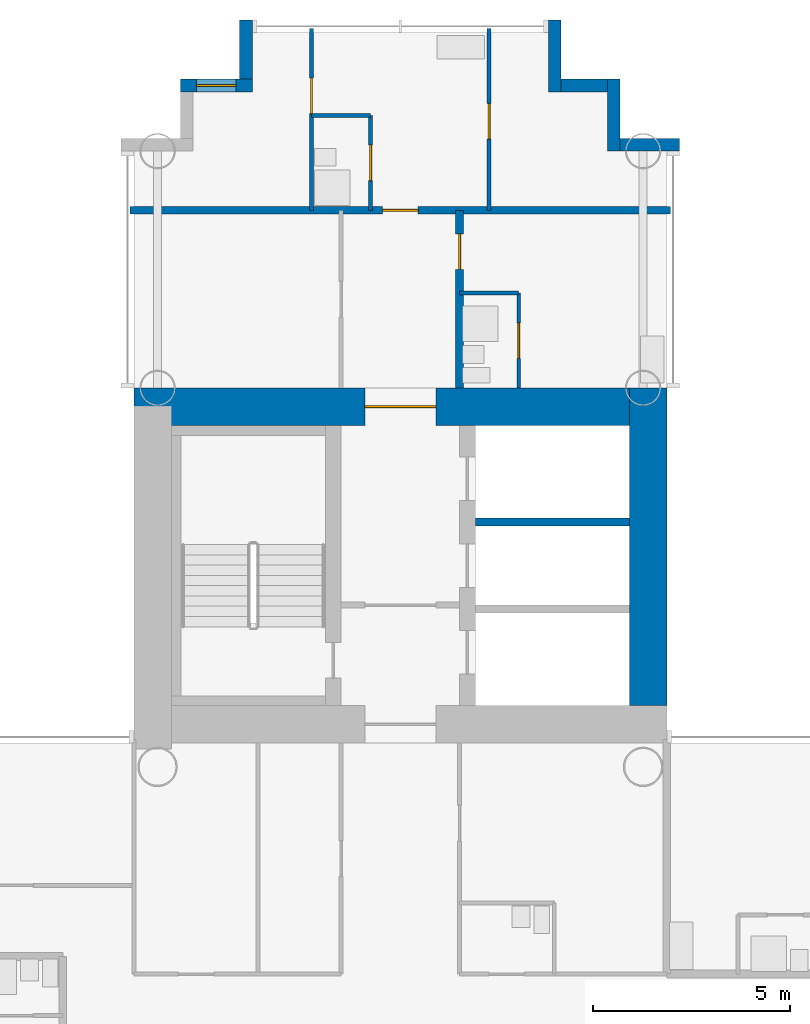
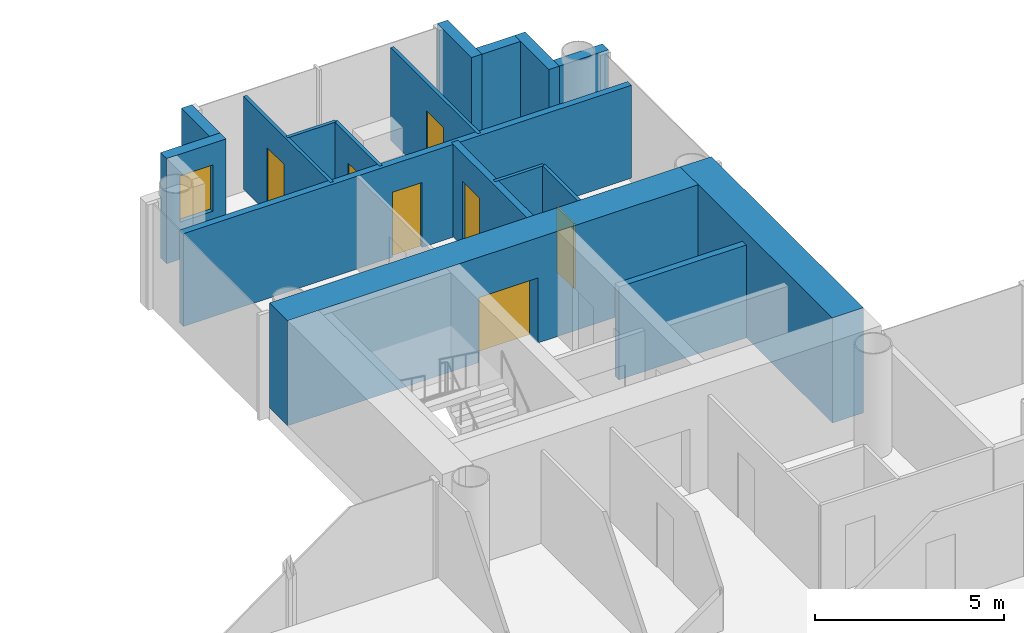
# One storey, part 15 of 22: 17 walls, 7 doors, 1 window, 8 openings.
"""IFC4 building model written with IfcOpenShell, lengths in metres."""

from ifc_helpers import new_model, si_unit, direction, frame, frame_2d, origin, place, context, subcontext, project, spatial, rectangle, extrude, material, layer, layer_set, type_object, element, fill, save


model = new_model("IFC4")

# Units and contexts
model_context = context("Model", 3, precision=1e-05, world=origin(), true_north=direction((0.0, 1.0)))
body_context = subcontext(model_context, "Body", "Model", "MODEL_VIEW")
ifc_project = project(units=[si_unit("LENGTHUNIT", "METRE"), si_unit("AREAUNIT", "SQUARE_METRE"), si_unit("VOLUMEUNIT", "CUBIC_METRE"), si_unit("PLANEANGLEUNIT", "RADIAN"), si_unit("MASSUNIT", "GRAM", prefix="KILO")], contexts=[model_context])

# Site, building, storey
site_placement = place(None, origin())
site = spatial("IfcSite", under=ifc_project, at=site_placement, CompositionType="ELEMENT")
building_placement = place(site_placement, origin())
building = spatial("IfcBuilding", under=site, at=building_placement, Name="Ipe Terrace Towers", CompositionType="ELEMENT")
storey_placement = place(building_placement, frame((0.0, 0.0, 90.199951171875)))
storey = spatial("IfcBuildingStorey", under=building, at=storey_placement, Name="L24", CompositionType="ELEMENT", Elevation=90.199951171875)

# Walls
ifc_material_1 = material(Name="Concrete C40/50 with buff precast cladding", Category="concrete")
ifc_layer_1 = layer(ifc_material_1, 0.320068359375)
ifc_layer_set_1 = layer_set([ifc_layer_1], Name="BUFF CLADDING WALL 320")
wall_type_1 = type_object("IfcWallType", Name="BUFF CLADDING WALL 320", PredefinedType="STANDARD", material=ifc_layer_set_1)
wall_1_placement = place(storey_placement, frame((43.070068359375, 21.909912109375, -0.300048828125), z_axis=(0.0, 0.0, 1.0), x_axis=(-1.0, 0.0, 0.0)))
element("IfcWall", 1, at=wall_1_placement, inside=storey, type_object=wall_type_1, Name="T2-W-L24-17a wall", PredefinedType="STANDARD", context=body_context, shape_type="SweptSolid", body=[
    extrude(rectangle(XDim=1.5, YDim=0.320068359375, at=frame_2d((0.75, 0.0))), origin(), (0.0, 0.0, 1.0), 3.400146484375),
])
wall_2_placement = place(storey_placement, frame((41.409912109375, 21.75, -0.300048828125), z_axis=(0.0, 0.0, 1.0), x_axis=(0.0, 1.0, 0.0)))
element("IfcWall", 2, at=wall_2_placement, inside=storey, type_object=wall_type_1, Name="T2-W-L24-18a wall", PredefinedType="STANDARD", context=body_context, shape_type="SweptSolid", body=[
    extrude(rectangle(XDim=1.820068359375, YDim=0.320068359375, at=frame_2d((0.91015625, 0.0))), origin(), (0.0, 0.0, 1.0), 3.400146484375),
])
wall_3_placement = place(storey_placement, frame((41.25, 23.409912109375, -0.300048828125), z_axis=(0.0, 0.0, 1.0), x_axis=(-1.0, 0.0, 0.0)))
element("IfcWall", 3, at=wall_3_placement, inside=storey, type_object=wall_type_1, Name="T2-W-L24-19a wall", PredefinedType="STANDARD", context=body_context, shape_type="SweptSolid", body=[
    extrude(rectangle(XDim=1.179931640625, YDim=0.320068359375, at=frame_2d((0.58984375, 0.0))), origin(), (0.0, 0.0, 1.0), 3.400146484375),
])
wall_4_placement = place(storey_placement, frame((39.909912109375, 23.25, -0.300048828125), z_axis=(0.0, 0.0, 1.0), x_axis=(0.0, 1.0, 0.0)))
element("IfcWall", 4, at=wall_4_placement, inside=storey, type_object=wall_type_1, Name="T2-W-L24-20a wall", PredefinedType="STANDARD", context=body_context, shape_type="SweptSolid", body=[
    extrude(rectangle(XDim=1.820068359375, YDim=0.320068359375, at=frame_2d((0.91015625, 0.0))), origin(), (0.0, 0.0, 1.0), 3.400146484375),
])
wall_5_placement = place(storey_placement, frame((32.090087890625, 25.070068359375, -0.300048828125), z_axis=(0.0, 0.0, 1.0), x_axis=(0.0, -1.0, 0.0)))
element("IfcWall", 5, at=wall_5_placement, inside=storey, type_object=wall_type_1, Name="T2-W-L24-22a wall", PredefinedType="STANDARD", context=body_context, shape_type="SweptSolid", body=[
    extrude(rectangle(XDim=1.5, YDim=0.320068359375, at=frame_2d((0.75, 0.0))), origin(), (0.0, 0.0, 1.0), 3.400146484375),
])

# Wall, opening, window
wall_6_placement = place(storey_placement, frame((32.25, 23.409912109375, -0.300048828125), z_axis=(0.0, 0.0, 1.0), x_axis=(-1.0, 0.0, 0.0)))
wall_6 = element("IfcWall", 6, at=wall_6_placement, inside=storey, type_object=wall_type_1, Name="T2-W-L24-23a wall", PredefinedType="STANDARD", context=body_context, shape_type="SweptSolid", body=[
    extrude(rectangle(XDim=1.820068359375, YDim=0.320068359375, at=frame_2d((0.91015625, 0.0))), origin(), (0.0, 0.0, 1.0), 3.400146484375),
])
opening_1_placement = place(wall_6_placement, frame((0.409912109375, 0.0, 1.199951171875)))
opening_1 = element("IfcOpeningElement", 7, at=opening_1_placement, cuts=wall_6, Name="Opening T2-W-05-L24-01", PredefinedType="OPENING", context=body_context, shape_type="SweptSolid", body=[
    extrude(rectangle(XDim=1.0, YDim=1.5, at=frame_2d((0.5, 0.75))), frame((0.0, 0.169921875, 0.0), z_axis=(0.0, -1.0, 0.0), x_axis=(1.0, 0.0, 0.0)), (0.0, 0.0, 1.0), 0.340087890625),
])
ifc_material_2 = material(Name="Glass, clear laminated", Category="glass")
window_type = type_object("IfcWindowType", Name="DWELLING WINDOW 1000 x 1500", PartitioningType="SINGLE_PANEL", PredefinedType="WINDOW", material=ifc_material_2)
window_placement = place(opening_1_placement, origin())
window = element("IfcWindow", 8, at=window_placement, inside=storey, type_object=window_type, Name="W-05 window", OverallHeight=1.5, OverallWidth=1.0, PartitioningType="SINGLE_PANEL", PredefinedType="WINDOW", context=body_context, shape_type="SweptSolid", body=[
    extrude(rectangle(XDim=1.0, YDim=1.5, at=frame_2d((0.5, 0.75))), frame((0.0, 0.030029296875, 0.0), z_axis=(0.0, -1.0, 0.0), x_axis=(1.0, 0.0, 0.0)), (0.0, 0.0, 1.0), 0.06005859375),
])
fill(opening_1, window)

# Walls
ifc_material_3 = material(Name="Gypsum board partition", Category="plasterboard")
ifc_layer_2 = layer(ifc_material_3, 0.10009765625)
ifc_layer_set_2 = layer_set([ifc_layer_2], Name="Gypsum board partition 100 mm")
wall_type_2 = type_object("IfcWallType", Name="Gypsum board partition 100 mm", PredefinedType="PARTITIONING", material=ifc_layer_set_2)
for number, where, z_axis, x_axis, name in (
    (9, (39.0, 18.14990234375, 0.0), (0.0, 0.0, 1.0), (-1.0, 0.0, 0.0), "Gypsum board partition T2 L24 W15"),
    (10, (35.25, 22.64990234375, 0.0), (0.0, 0.0, 1.0), (-1.0, 0.0, 0.0), "Gypsum board partition T2 L24 W17"),
):
    element("IfcWall", number, at=place(storey_placement, frame(where, z_axis=z_axis, x_axis=x_axis)), inside=storey, type_object=wall_type_2, Name=name, PredefinedType="PARTITIONING", context=body_context, shape_type="SweptSolid", body=[
        extrude(rectangle(XDim=1.5, YDim=0.10009765625, at=frame_2d((0.75, 0.0))), origin(), (0.0, 0.0, 1.0), 3.0),
    ])

# Wall, opening, door
wall_7_placement = place(storey_placement, frame((39.0, 15.75, 0.0), z_axis=(0.0, 0.0, 1.0), x_axis=(0.0, 1.0, 0.0)))
wall_7 = element("IfcWall", 11, at=wall_7_placement, inside=storey, type_object=wall_type_2, Name="Gypsum board partition T2 L24 W28", PredefinedType="PARTITIONING", context=body_context, shape_type="SweptSolid", body=[
    extrude(rectangle(XDim=2.39990234375, YDim=0.10009765625, at=frame_2d((1.199951171875, 0.0))), origin(), (0.0, 0.0, 1.0), 3.0),
])
opening_2_placement = place(wall_7_placement, frame((0.75, 0.0, 0.0)))
opening_2 = element("IfcOpeningElement", 12, at=opening_2_placement, cuts=wall_7, Name="Opening T2-Z2C-20", PredefinedType="OPENING", context=body_context, shape_type="SweptSolid", body=[
    extrude(rectangle(XDim=0.89990234375, YDim=2.10009765625, at=frame_2d((0.449951171875, 1.050048828125))), frame((0.0, 0.06005859375, 0.0), z_axis=(0.0, -1.0, 0.0), x_axis=(1.0, 0.0, 0.0)), (0.0, 0.0, 1.0), 0.1201171875),
])
ifc_material_4 = material(Name="Timber door leaf", Category="wood")
door_type_1 = type_object("IfcDoorType", Name="Bathroom door 900 x 2100", OperationType="NOTDEFINED", PredefinedType="DOOR", material=ifc_material_4)
door_1_placement = place(opening_2_placement, origin())
door_1 = element("IfcDoor", 13, at=door_1_placement, inside=storey, type_object=door_type_1, Name="Bathroom door T2-Z2C-20", OperationType="SINGLE_SWING_LEFT", OverallHeight=2.10009765625, OverallWidth=0.89990234375, PredefinedType="DOOR", context=body_context, shape_type="SweptSolid", body=[
    extrude(rectangle(XDim=0.89990234375, YDim=2.10009765625, at=frame_2d((0.449951171875, 1.050048828125))), frame((0.0, 0.02490234375, 0.0), z_axis=(0.0, -1.0, 0.0), x_axis=(1.0, 0.0, 0.0)), (0.0, 0.0, 1.0), 0.050048828125),
])
fill(opening_2, door_1)

wall_8_placement = place(storey_placement, frame((38.25, 20.25, 0.0), z_axis=(0.0, 0.0, 1.0), x_axis=(0.0, 1.0, 0.0)))
wall_8 = element("IfcWall", 14, at=wall_8_placement, inside=storey, type_object=wall_type_2, Name="Gypsum board partition T2 L24 W29", PredefinedType="PARTITIONING", context=body_context, shape_type="SweptSolid", body=[
    extrude(rectangle(XDim=4.60009765625, YDim=0.10009765625, at=frame_2d((2.300048828125, 0.0))), origin(), (0.0, 0.0, 1.0), 3.0),
])
opening_3_placement = place(wall_8_placement, frame((1.800048828125, 0.0, 0.0)))
opening_3 = element("IfcOpeningElement", 15, at=opening_3_placement, cuts=wall_8, Name="Opening T2-Z2C-24", PredefinedType="OPENING", context=body_context, shape_type="SweptSolid", body=[
    extrude(rectangle(XDim=0.89990234375, YDim=2.10009765625, at=frame_2d((0.449951171875, 1.050048828125))), frame((0.0, 0.06005859375, 0.0), z_axis=(0.0, -1.0, 0.0), x_axis=(1.0, 0.0, 0.0)), (0.0, 0.0, 1.0), 0.1201171875),
])
ifc_material_5 = material(Name="Timber door leaf", Category="wood")
door_type_2 = type_object("IfcDoorType", Name="Lounge door 900 x 2100", OperationType="NOTDEFINED", PredefinedType="DOOR", material=ifc_material_5)
door_2_placement = place(opening_3_placement, origin())
door_2 = element("IfcDoor", 16, at=door_2_placement, inside=storey, type_object=door_type_2, Name="Lounge door T2-Z2C-24", OperationType="SINGLE_SWING_LEFT", OverallHeight=2.10009765625, OverallWidth=0.89990234375, PredefinedType="DOOR", context=body_context, shape_type="SweptSolid", body=[
    extrude(rectangle(XDim=0.89990234375, YDim=2.10009765625, at=frame_2d((0.449951171875, 1.050048828125))), frame((0.0, 0.02490234375, 0.0), z_axis=(0.0, -1.0, 0.0), x_axis=(1.0, 0.0, 0.0)), (0.0, 0.0, 1.0), 0.050048828125),
])
fill(opening_3, door_2)

wall_9_placement = place(storey_placement, frame((35.25, 20.25, 0.0), z_axis=(0.0, 0.0, 1.0), x_axis=(0.0, 1.0, 0.0)))
wall_9 = element("IfcWall", 17, at=wall_9_placement, inside=storey, type_object=wall_type_2, Name="Gypsum board partition T2 L24 W33", PredefinedType="PARTITIONING", context=body_context, shape_type="SweptSolid", body=[
    extrude(rectangle(XDim=2.39990234375, YDim=0.10009765625, at=frame_2d((1.199951171875, 0.0))), origin(), (0.0, 0.0, 1.0), 3.0),
])
opening_4_placement = place(wall_9_placement, frame((0.75, 0.0, 0.0)))
opening_4 = element("IfcOpeningElement", 18, at=opening_4_placement, cuts=wall_9, Name="Opening T2-Z2C-21", PredefinedType="OPENING", context=body_context, shape_type="SweptSolid", body=[
    extrude(rectangle(XDim=0.89990234375, YDim=2.10009765625, at=frame_2d((0.449951171875, 1.050048828125))), frame((0.0, 0.06005859375, 0.0), z_axis=(0.0, -1.0, 0.0), x_axis=(1.0, 0.0, 0.0)), (0.0, 0.0, 1.0), 0.1201171875),
])
door_3_placement = place(opening_4_placement, origin())
door_3 = element("IfcDoor", 19, at=door_3_placement, inside=storey, type_object=door_type_1, Name="Bathroom door T2-Z2C-21", OperationType="SINGLE_SWING_LEFT", OverallHeight=2.10009765625, OverallWidth=0.89990234375, PredefinedType="DOOR", context=body_context, shape_type="SweptSolid", body=[
    extrude(rectangle(XDim=0.89990234375, YDim=2.10009765625, at=frame_2d((0.449951171875, 1.050048828125))), frame((0.0, 0.02490234375, 0.0), z_axis=(0.0, -1.0, 0.0), x_axis=(1.0, 0.0, 0.0)), (0.0, 0.0, 1.0), 0.050048828125),
])
fill(opening_4, door_3)

wall_10_placement = place(storey_placement, frame((33.75, 20.25, 0.0), z_axis=(0.0, 0.0, 1.0), x_axis=(0.0, 1.0, 0.0)))
wall_10 = element("IfcWall", 20, at=wall_10_placement, inside=storey, type_object=wall_type_2, Name="Gypsum board partition T2 L24 W37", PredefinedType="PARTITIONING", context=body_context, shape_type="SweptSolid", body=[
    extrude(rectangle(XDim=4.60009765625, YDim=0.10009765625, at=frame_2d((2.300048828125, 0.0))), origin(), (0.0, 0.0, 1.0), 3.0),
])
opening_5_placement = place(wall_10_placement, frame((2.449951171875, 0.0, 0.0)))
opening_5 = element("IfcOpeningElement", 21, at=opening_5_placement, cuts=wall_10, Name="Opening T2-Z2C-23", PredefinedType="OPENING", context=body_context, shape_type="SweptSolid", body=[
    extrude(rectangle(XDim=0.89990234375, YDim=2.10009765625, at=frame_2d((0.449951171875, 1.050048828125))), frame((0.0, 0.06005859375, 0.0), z_axis=(0.0, -1.0, 0.0), x_axis=(1.0, 0.0, 0.0)), (0.0, 0.0, 1.0), 0.1201171875),
])
ifc_material_6 = material(Name="Timber door leaf", Category="wood")
door_type_3 = type_object("IfcDoorType", Name="Bedroom door 900 x 2100", OperationType="NOTDEFINED", PredefinedType="DOOR", material=ifc_material_6)
door_4_placement = place(opening_5_placement, origin())
door_4 = element("IfcDoor", 22, at=door_4_placement, inside=storey, type_object=door_type_3, Name="Bedroom door T2-Z2C-23", OperationType="SINGLE_SWING_LEFT", OverallHeight=2.10009765625, OverallWidth=0.89990234375, PredefinedType="DOOR", context=body_context, shape_type="SweptSolid", body=[
    extrude(rectangle(XDim=0.89990234375, YDim=2.10009765625, at=frame_2d((0.449951171875, 1.050048828125))), frame((0.0, 0.02490234375, 0.0), z_axis=(0.0, -1.0, 0.0), x_axis=(1.0, 0.0, 0.0)), (0.0, 0.0, 1.0), 0.050048828125),
])
fill(opening_5, door_4)

# Wall
ifc_material_7 = material(Name="Gypsum board party wall", Category="plasterboard")
ifc_layer_3 = layer(ifc_material_7, 0.199951171875)
ifc_layer_set_3 = layer_set([ifc_layer_3], Name="Gypsum board party wall 200 mm")
wall_type_3 = type_object("IfcWallType", Name="Gypsum board party wall 200 mm", PredefinedType="SOLIDWALL", material=ifc_layer_set_3)
wall_11_placement = place(storey_placement, frame((41.800048828125, 12.35009765625, 0.0), z_axis=(0.0, 0.0, 1.0), x_axis=(-1.0, 0.0, 0.0)))
element("IfcWall", 23, at=wall_11_placement, inside=storey, type_object=wall_type_3, Name="Gypsum board party wall T2 L24 t2c1-shaft-div2", PredefinedType="SOLIDWALL", context=body_context, shape_type="SweptSolid", body=[
    extrude(rectangle(XDim=3.900146484375, YDim=0.199951171875, at=frame_2d((1.9501953125, 0.0))), origin(), (0.0, 0.0, 1.0), 3.0),
])

# Wall, opening, door
wall_12_placement = place(storey_placement, frame((42.85009765625, 20.25, 0.0), z_axis=(0.0, 0.0, 1.0), x_axis=(-1.0, 0.0, 0.0)))
wall_12 = element("IfcWall", 24, at=wall_12_placement, inside=storey, type_object=wall_type_3, Name="Gypsum board party wall T2 L24 W16", PredefinedType="SOLIDWALL", context=body_context, shape_type="SweptSolid", body=[
    extrude(rectangle(XDim=13.7001953125, YDim=0.199951171875, at=frame_2d((6.85009765625, 0.0))), origin(), (0.0, 0.0, 1.0), 3.0),
])
opening_6_placement = place(wall_12_placement, frame((6.39990234375, 0.0, 0.0)))
opening_6 = element("IfcOpeningElement", 25, at=opening_6_placement, cuts=wall_12, Name="Opening T2-Z2C-22", PredefinedType="OPENING", context=body_context, shape_type="SweptSolid", body=[
    extrude(rectangle(XDim=0.89990234375, YDim=2.10009765625, at=frame_2d((0.449951171875, 1.050048828125))), frame((0.0, 0.10986328125, 0.0), z_axis=(0.0, -1.0, 0.0), x_axis=(1.0, 0.0, 0.0)), (0.0, 0.0, 1.0), 0.219970703125),
])
ifc_material_8 = material(Name="Fire-rated timber door leaf", Category="wood")
door_type_4 = type_object("IfcDoorType", Name="Flat entrance door 900 x 2100 FD30S", OperationType="NOTDEFINED", PredefinedType="DOOR", material=ifc_material_8)
door_5_placement = place(opening_6_placement, origin())
door_5 = element("IfcDoor", 26, at=door_5_placement, inside=storey, type_object=door_type_4, Name="Flat entrance door T2-Z2C-22", OperationType="SINGLE_SWING_RIGHT", OverallHeight=2.10009765625, OverallWidth=0.89990234375, PredefinedType="DOOR", context=body_context, shape_type="SweptSolid", body=[
    extrude(rectangle(XDim=0.89990234375, YDim=2.10009765625, at=frame_2d((0.449951171875, 1.050048828125))), frame((0.0, 0.02490234375, 0.0), z_axis=(0.0, -1.0, 0.0), x_axis=(1.0, 0.0, 0.0)), (0.0, 0.0, 1.0), 0.050048828125),
])
fill(opening_6, door_5)

wall_13_placement = place(storey_placement, frame((37.5, 15.75, 0.0), z_axis=(0.0, 0.0, 1.0), x_axis=(0.0, 1.0, 0.0)))
wall_13 = element("IfcWall", 27, at=wall_13_placement, inside=storey, type_object=wall_type_3, Name="Gypsum board party wall T2 L24 W32", PredefinedType="SOLIDWALL", context=body_context, shape_type="SweptSolid", body=[
    extrude(rectangle(XDim=4.5, YDim=0.199951171875, at=frame_2d((2.25, 0.0))), origin(), (0.0, 0.0, 1.0), 3.0),
])
opening_7_placement = place(wall_13_placement, frame((3.0, 0.0, 0.0)))
opening_7 = element("IfcOpeningElement", 28, at=opening_7_placement, cuts=wall_13, Name="Opening T2-Z2C-19", PredefinedType="OPENING", context=body_context, shape_type="SweptSolid", body=[
    extrude(rectangle(XDim=0.89990234375, YDim=2.10009765625, at=frame_2d((0.449951171875, 1.050048828125))), frame((0.0, 0.10986328125, 0.0), z_axis=(0.0, -1.0, 0.0), x_axis=(1.0, 0.0, 0.0)), (0.0, 0.0, 1.0), 0.219970703125),
])
door_6_placement = place(opening_7_placement, origin())
door_6 = element("IfcDoor", 29, at=door_6_placement, inside=storey, type_object=door_type_4, Name="Flat entrance door T2-Z2C-19", OperationType="SINGLE_SWING_RIGHT", OverallHeight=2.10009765625, OverallWidth=0.89990234375, PredefinedType="DOOR", context=body_context, shape_type="SweptSolid", body=[
    extrude(rectangle(XDim=0.89990234375, YDim=2.10009765625, at=frame_2d((0.449951171875, 1.050048828125))), frame((0.0, 0.02490234375, 0.0), z_axis=(0.0, -1.0, 0.0), x_axis=(1.0, 0.0, 0.0)), (0.0, 0.0, 1.0), 0.050048828125),
])
fill(opening_7, door_6)

# Wall
ifc_material_9 = material(Name="Concrete C50/60", Category="concrete")
ifc_layer_4 = layer(ifc_material_9, 0.949951171875)
ifc_layer_set_4 = layer_set([ifc_layer_4], Name="RW950 CORE WALL 950 C50-60")
wall_type_4 = type_object("IfcWallType", Name="RW950 CORE WALL 950 C50-60", PredefinedType="SHEAR", material=ifc_layer_set_4)
wall_14_placement = place(storey_placement, frame((42.27490234375, 7.699951171875, 0.0), z_axis=(0.0, 0.0, 1.0), x_axis=(0.0, 1.0, 0.0)))
element("IfcWall", 30, at=wall_14_placement, inside=storey, type_object=wall_type_4, Name="Core wall T2-C1-Z2-W02", PredefinedType="SHEAR", context=body_context, shape_type="SweptSolid", body=[
    extrude(rectangle(XDim=8.050048828125, YDim=0.949951171875, at=frame_2d((4.02490234375, 0.0))), origin(), (0.0, 0.0, 1.0), 3.400146484375),
])

# Wall, opening, door
wall_15_placement = place(storey_placement, frame((41.800048828125, 15.27490234375, 0.0), z_axis=(0.0, 0.0, 1.0), x_axis=(-1.0, 0.0, 0.0)))
wall_15 = element("IfcWall", 31, at=wall_15_placement, inside=storey, type_object=wall_type_4, Name="Core wall T2-C1-Z2-W03", PredefinedType="SHEAR", context=body_context, shape_type="SweptSolid", body=[
    extrude(rectangle(XDim=12.550048828125, YDim=0.949951171875, at=frame_2d((6.27490234375, 0.0))), origin(), (0.0, 0.0, 1.0), 3.400146484375),
])
opening_8_placement = place(wall_15_placement, frame((4.89990234375, 0.0, 0.0)))
opening_8 = element("IfcOpeningElement", 32, at=opening_8_placement, cuts=wall_15, Name="Opening T2C1-FD", PredefinedType="OPENING", context=body_context, shape_type="SweptSolid", body=[
    extrude(rectangle(XDim=1.800048828125, YDim=2.10009765625, at=frame_2d((0.89990234375, 1.050048828125))), frame((0.0, 0.48486328125, 0.0), z_axis=(0.0, -1.0, 0.0), x_axis=(1.0, 0.0, 0.0)), (0.0, 0.0, 1.0), 0.969970703125),
])
ifc_material_10 = material(Name="Fire-rated timber door leaf", Category="wood")
door_type_5 = type_object("IfcDoorType", Name="Fire door 1800 x 2100 FD30S", OperationType="NOTDEFINED", PredefinedType="DOOR", material=ifc_material_10)
door_7_placement = place(opening_8_placement, origin())
door_7 = element("IfcDoor", 33, at=door_7_placement, inside=storey, type_object=door_type_5, Name="Fire door T2C1-FD", OperationType="SINGLE_SWING_LEFT", OverallHeight=2.10009765625, OverallWidth=1.800048828125, PredefinedType="DOOR", context=body_context, shape_type="SweptSolid", body=[
    extrude(rectangle(XDim=1.800048828125, YDim=2.10009765625, at=frame_2d((0.89990234375, 1.050048828125))), frame((0.0, 0.02490234375, 0.0), z_axis=(0.0, -1.0, 0.0), x_axis=(1.0, 0.0, 0.0)), (0.0, 0.0, 1.0), 0.050048828125),
])
fill(opening_8, door_7)

save(model, "model.ifc")
